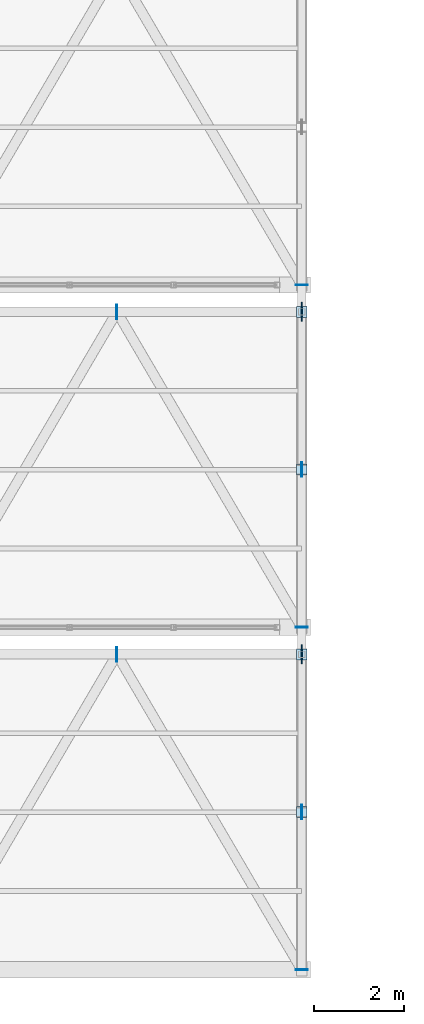
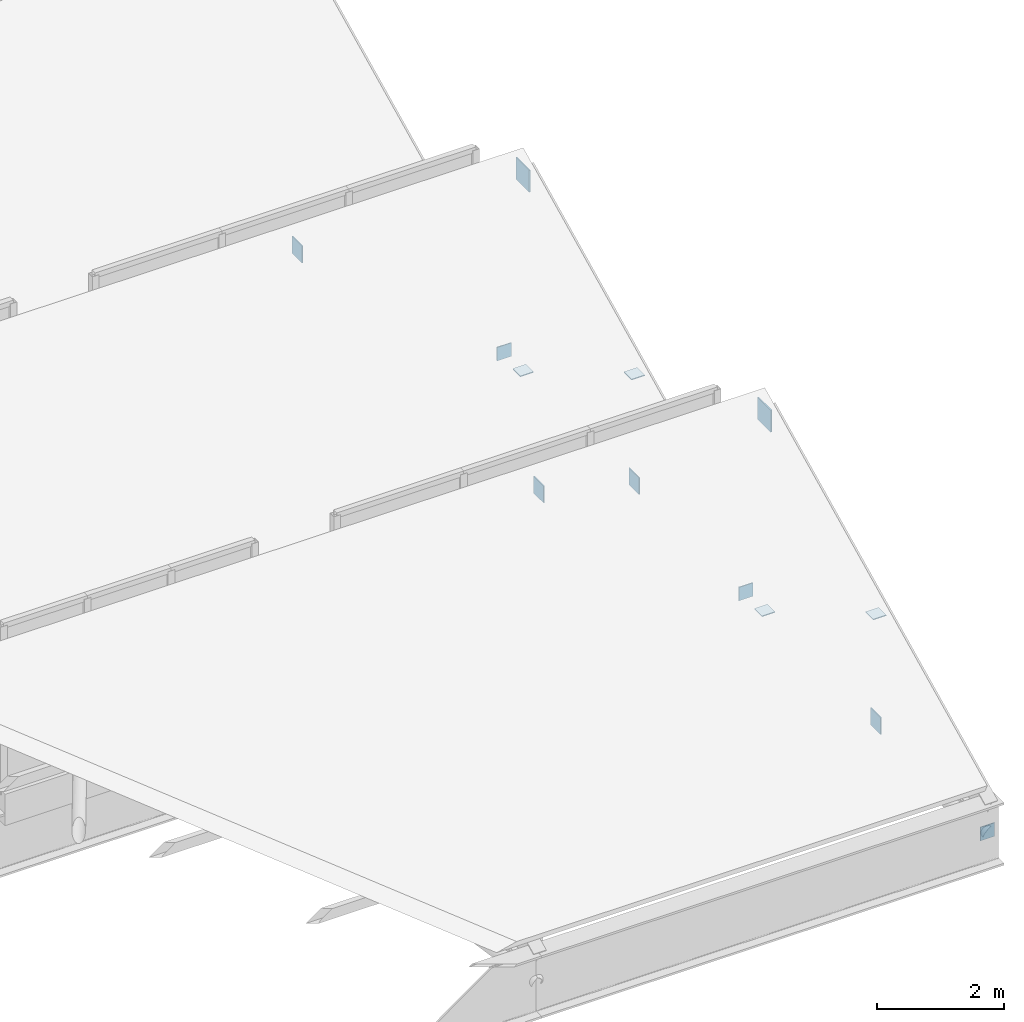
# One storey, part 46 of 57: 13 plates.
"""IFC4 building model written with IfcOpenShell, lengths in metres."""

from ifc_helpers import new_model, si_unit, direction, frame, origin, origin_2d, place, context, subcontext, project, spatial, rectangle, extrude, material, layer, layer_set, type_object, element, save


model = new_model("IFC4")

# Units and contexts
model_context = context("Model", 3, precision=1e-05, world=origin(), true_north=direction((0.0, 1.0)))
body_context = subcontext(model_context, "Body", "Model", "MODEL_VIEW")
ifc_project = project(units=[si_unit("LENGTHUNIT", "METRE"), si_unit("AREAUNIT", "SQUARE_METRE"), si_unit("VOLUMEUNIT", "CUBIC_METRE"), si_unit("PLANEANGLEUNIT", "RADIAN"), si_unit("MASSUNIT", "GRAM", prefix="KILO")], contexts=[model_context])

# Site, building, storey
site_placement = place(None, origin())
site = spatial("IfcSite", under=ifc_project, at=site_placement, CompositionType="ELEMENT")
building_placement = place(site_placement, origin())
building = spatial("IfcBuilding", under=site, at=building_placement, Name="Zuvorla Pavilion Media Centre", CompositionType="ELEMENT")
storey_placement = place(building_placement, frame((0.0, 0.0, 18.0)))
storey = spatial("IfcBuildingStorey", under=building, at=storey_placement, Name="L04", CompositionType="ELEMENT", Elevation=18.0)

# Plates
ifc_material = material(Name="Steel S355", Category="steel")
ifc_layer_1 = layer(ifc_material, 0.01611328125)
ifc_layer_set_1 = layer_set([ifc_layer_1], Name="Steel S355")
plate_type_1 = type_object("IfcPlateType", Name="PLT-CAP-16", PredefinedType="USERDEFINED", material=ifc_layer_set_1)
for number, where, z_axis, x_axis, name in (
    (1, (159.0, 6.0, -1.009765625), (0.0, 0.0, 1.0), (1.0, 0.0, 0.0), "L04 cap plate CP16 102"),
    (2, (159.0, 13.60009765625, -1.009765625), (0.0, 0.0, 1.0), (1.0, 0.0, 0.0), "L04 cap plate CP16 114"),
    (3, (159.0, 21.199951171875, -1.009765625), (0.0, 0.0, 1.0), (1.0, 0.0, 0.0), "L04 cap plate CP16 126"),
):
    element("IfcPlate", number, at=place(storey_placement, frame(where, z_axis=z_axis, x_axis=x_axis)), inside=storey, type_object=plate_type_1, Name=name, ObjectType="CAP_PLATE", PredefinedType="USERDEFINED", context=body_context, shape_type="SweptSolid", body=[
        extrude(rectangle(XDim=0.260009765625, YDim=0.01611328125, at=origin_2d()), origin(), (0.0, 0.0, 1.0), 0.260009765625),
    ])
for number, where, z_axis, x_axis, name in (
    (4, (159.0, 13.0, -0.887939453125), (0.0, 0.0, 1.0), (1.0, 0.0, 0.0), "L04 cap plate CP16 407"),
    (5, (159.0, 9.5, 1.171875), (0.0, 0.0, 1.0), (1.0, 0.0, 0.0), "L04 cap plate CP16 409"),
    (6, (159.0, 20.60009765625, -0.887939453125), (0.0, 0.0, 1.0), (1.0, 0.0, 0.0), "L04 cap plate CP16 430"),
    (7, (159.0, 17.10009765625, 1.171875), (0.0, 0.0, 1.0), (1.0, 0.0, 0.0), "L04 cap plate CP16 432"),
):
    element("IfcPlate", number, at=place(storey_placement, frame(where, z_axis=z_axis, x_axis=x_axis)), inside=storey, type_object=plate_type_1, Name=name, ObjectType="CAP_PLATE", PredefinedType="USERDEFINED", context=body_context, shape_type="SweptSolid", body=[
        extrude(rectangle(XDim=0.239990234375, YDim=0.239990234375, at=origin_2d()), origin(), (0.0, 0.0, 1.0), 0.01611328125),
    ])
ifc_layer_2 = layer(ifc_material, 0.02001953125)
ifc_layer_set_2 = layer_set([ifc_layer_2], Name="Steel S355")
plate_type_2 = type_object("IfcPlateType", Name="PLT-GUS-20", PredefinedType="USERDEFINED", material=ifc_layer_set_2)
for number, where, z_axis, x_axis, name in (
    (8, (159.0, 9.5, -1.0400390625), (0.0, 0.0, 1.0), (1.0, 0.0, 0.0), "L04 gusset plate GP20 408"),
    (9, (154.89990234375, 13.0, 2.7197265625), (0.0, 0.0, 1.0), (1.0, 0.0, 0.0), "L04 gusset plate GP20 414"),
    (10, (159.0, 17.10009765625, -1.0400390625), (0.0, 0.0, 1.0), (1.0, 0.0, 0.0), "L04 gusset plate GP20 431"),
    (11, (154.89990234375, 20.60009765625, 2.7197265625), (0.0, 0.0, 1.0), (1.0, 0.0, 0.0), "L04 gusset plate GP20 437"),
):
    element("IfcPlate", number, at=place(storey_placement, frame(where, z_axis=z_axis, x_axis=x_axis)), inside=storey, type_object=plate_type_2, Name=name, ObjectType="GUSSET_PLATE", PredefinedType="USERDEFINED", context=body_context, shape_type="SweptSolid", body=[
        extrude(rectangle(XDim=0.02001953125, YDim=0.320068359375, at=origin_2d()), origin(), (0.0, 0.0, 1.0), 0.320068359375),
    ])
ifc_layer_3 = layer(ifc_material, 0.02490234375)
ifc_layer_set_3 = layer_set([ifc_layer_3], Name="Steel S355")
plate_type_3 = type_object("IfcPlateType", Name="PLT-GUS-25", PredefinedType="USERDEFINED", material=ifc_layer_set_3)
for number, where, z_axis, x_axis, name in (
    (12, (159.0, 13.0, 2.672119140625), (0.0, 0.0, 1.0), (1.0, 0.0, 0.0), "L04 gusset plate GP25 101"),
    (13, (159.0, 20.60009765625, 2.672119140625), (0.0, 0.0, 1.0), (1.0, 0.0, 0.0), "L04 gusset plate GP25 113"),
):
    element("IfcPlate", number, at=place(storey_placement, frame(where, z_axis=z_axis, x_axis=x_axis)), inside=storey, type_object=plate_type_3, Name=name, ObjectType="GUSSET_PLATE", PredefinedType="USERDEFINED", context=body_context, shape_type="SweptSolid", body=[
        extrude(rectangle(XDim=0.02490234375, YDim=0.419921875, at=origin_2d()), origin(), (0.0, 0.0, 1.0), 0.419921875),
    ])

save(model, "model.ifc")
